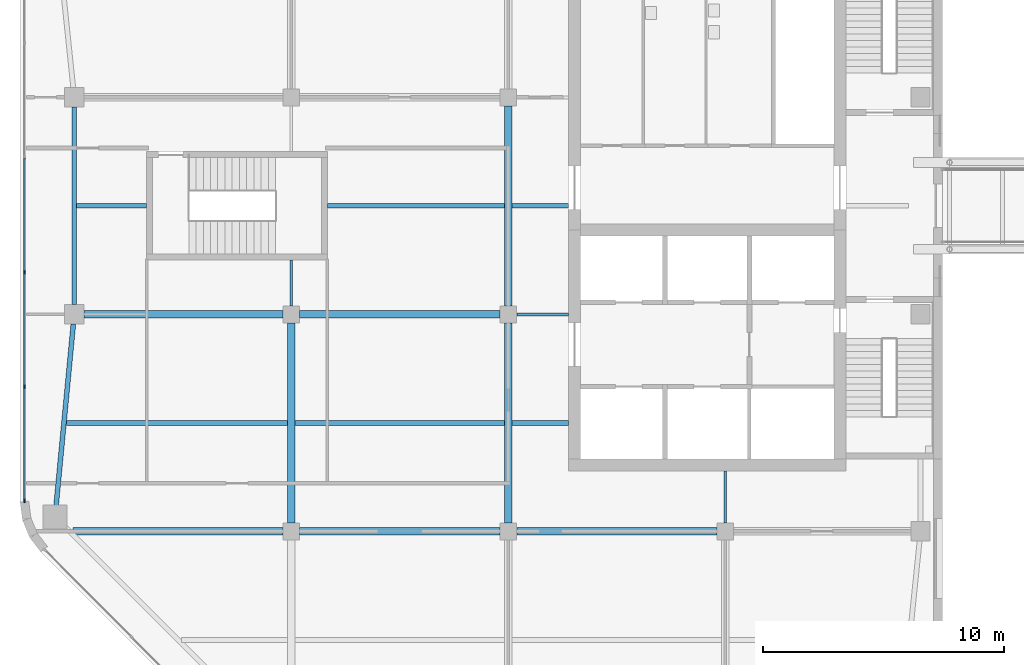
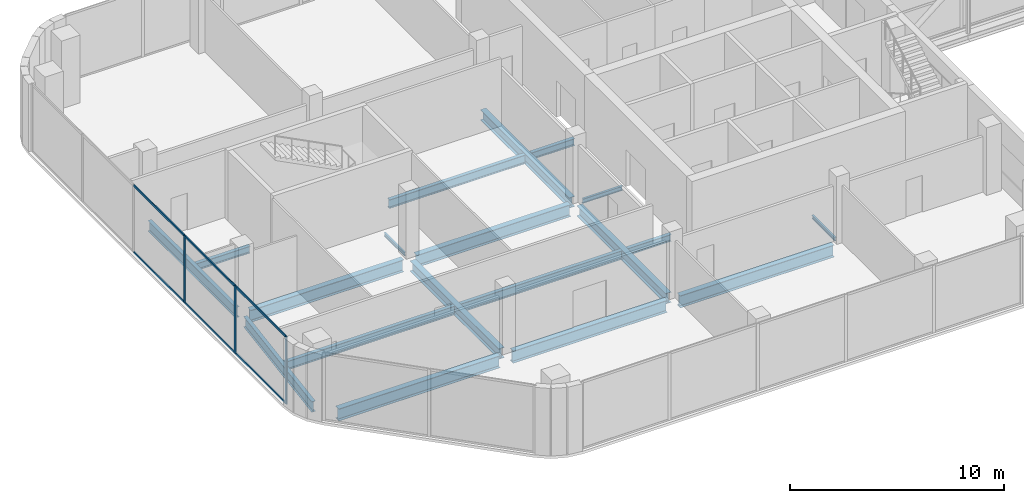
# One storey, part 3 of 24: 19 beams, 9 members, 1 element without a shape of its own.
"""IFC4 building model written with IfcOpenShell, lengths in metres."""

from ifc_helpers import new_model, si_unit, direction, frame, origin, origin_2d, place, context, subcontext, project, spatial, rectangle, i_section, extrude, material, material_profile, profile_set, type_object, element, aggregate, save


model = new_model("IFC4")

# Units and contexts
model_context = context("Model", 3, precision=1e-05, world=origin(), true_north=direction((0.0, 1.0)))
body_context = subcontext(model_context, "Body", "Model", "MODEL_VIEW")
ifc_project = project(units=[si_unit("LENGTHUNIT", "METRE"), si_unit("AREAUNIT", "SQUARE_METRE"), si_unit("VOLUMEUNIT", "CUBIC_METRE"), si_unit("PLANEANGLEUNIT", "RADIAN"), si_unit("MASSUNIT", "GRAM", prefix="KILO")], contexts=[model_context])

# Site, building, storey
site_placement = place(None, origin())
site = spatial("IfcSite", under=ifc_project, at=site_placement, CompositionType="ELEMENT")
building_placement = place(site_placement, origin())
building = spatial("IfcBuilding", under=site, at=building_placement, Name="Cinnabar Reach Civic Tower", CompositionType="ELEMENT")
storey_placement = place(building_placement, frame((0.0, 0.0, 71.0)))
storey = spatial("IfcBuildingStorey", under=building, at=storey_placement, Name="L16", CompositionType="ELEMENT", Elevation=71.0)

# Beams
ifc_material_1 = material(Name="Steel Q355B", Category="steel")
ifc_material_profile_1 = material_profile(ifc_material_1, i_section(OverallWidth=0.302, OverallDepth=0.594, WebThickness=0.014, FlangeThickness=0.023, FilletRadius=0.016, at=origin_2d()), Name="HM594x302x14x23")
ifc_profile_set_1 = profile_set([ifc_material_profile_1], Name="Steel Q355B")
beam_type_1 = type_object("IfcBeamType", Name="HM594x302x14x23 beam R 120", PredefinedType="BEAM", material=ifc_profile_set_1)
for number, where, z_axis, x_axis, name in (
    (1, (-54.0, 18.352, -0.447), (0.0, 1.0, 0.0), (-1.0, 0.0, 0.0), "Girder T2 L16 2"),
    (2, (-45.0, 18.352, -0.447), (0.0, 1.0, 0.0), (-1.0, 0.0, 0.0), "Girder T2 L16 7"),
    (3, (-45.0, 27.352, -0.447), (0.0, 1.0, 0.0), (-1.0, 0.0, 0.0), "Girder T2 L16 8"),
):
    element("IfcBeam", number, at=place(storey_placement, frame(where, z_axis=z_axis, x_axis=x_axis)), inside=storey, type_object=beam_type_1, Name=name, PredefinedType="BEAM", context=body_context, shape_type="SweptSolid", body=[
        extrude(i_section(OverallWidth=0.302, OverallDepth=0.594, WebThickness=0.014, FlangeThickness=0.023, FilletRadius=0.016, at=origin_2d()), origin(), (0.0, 0.0, 1.0), 8.296),
    ])
ifc_material_profile_2 = material_profile(ifc_material_1, i_section(OverallWidth=0.099, OverallDepth=0.198, WebThickness=0.0045, FlangeThickness=0.007, FilletRadius=0.013, at=origin_2d()), Name="HN200x100x5.5x8")
ifc_profile_set_2 = profile_set([ifc_material_profile_2], Name="Steel Q355B")
beam_type_2 = type_object("IfcBeamType", Name="HN200x100x5.5x8 beam R 120", PredefinedType="BEAM", material=ifc_profile_set_2)
beam_1_placement = place(storey_placement, frame((-54.0, 27.352, -0.249), z_axis=(0.0, 1.0, 0.0), x_axis=(-1.0, 0.0, 0.0)))
element("IfcBeam", 4, at=beam_1_placement, inside=storey, type_object=beam_type_2, Name="Girder T2 L16 3", PredefinedType="BEAM", context=body_context, shape_type="SweptSolid", body=[
    extrude(i_section(OverallWidth=0.099, OverallDepth=0.198, WebThickness=0.0045, FlangeThickness=0.007, FilletRadius=0.013, at=origin_2d()), origin(), (0.0, 0.0, 1.0), 1.896),
])
beam_2_placement = place(storey_placement, frame((-36.0, 18.352, -0.249), z_axis=(0.0, 1.0, 0.0), x_axis=(-1.0, 0.0, 0.0)))
element("IfcBeam", 5, at=beam_2_placement, inside=storey, type_object=beam_type_2, Name="Girder T2 L16 11", PredefinedType="BEAM", context=body_context, shape_type="SweptSolid", body=[
    extrude(i_section(OverallWidth=0.099, OverallDepth=0.198, WebThickness=0.0045, FlangeThickness=0.007, FilletRadius=0.013, at=origin_2d()), origin(), (0.0, 0.0, 1.0), 2.146),
])
ifc_material_profile_3 = material_profile(ifc_material_1, i_section(OverallWidth=0.124, OverallDepth=0.248, WebThickness=0.005, FlangeThickness=0.008, FilletRadius=0.013, at=origin_2d()), Name="HN250x125x6x9")
ifc_profile_set_3 = profile_set([ifc_material_profile_3], Name="Steel Q355B")
beam_type_3 = type_object("IfcBeamType", Name="HN250x125x6x9 beam R 120", PredefinedType="BEAM", material=ifc_profile_set_3)
beam_3_placement = place(storey_placement, frame((-44.648, 27.0, -0.274), z_axis=(1.0, 0.0, 0.0), x_axis=(0.0, 1.0, 0.0)))
element("IfcBeam", 6, at=beam_3_placement, inside=storey, type_object=beam_type_3, Name="Girder T2 L16 7", PredefinedType="BEAM", context=body_context, shape_type="SweptSolid", body=[
    extrude(i_section(OverallWidth=0.124, OverallDepth=0.248, WebThickness=0.005, FlangeThickness=0.008, FilletRadius=0.013, at=origin_2d()), origin(), (0.0, 0.0, 1.0), 2.146),
])
ifc_material_profile_4 = material_profile(ifc_material_1, i_section(OverallWidth=0.199, OverallDepth=0.396, WebThickness=0.007, FlangeThickness=0.011, FilletRadius=0.013, at=origin_2d()), Name="HN396x199x7x11")
ifc_profile_set_4 = profile_set([ifc_material_profile_4], Name="Steel Q355B")
beam_type_4 = type_object("IfcBeamType", Name="HN396x199x7x11 beam R 120", PredefinedType="BEAM", material=ifc_profile_set_4)
beam_4_placement = place(storey_placement, frame((-44.847, 22.5, -0.348), z_axis=(1.0, 0.0, 0.0), x_axis=(0.0, 1.0, 0.0)))
element("IfcBeam", 7, at=beam_4_placement, inside=storey, type_object=beam_type_4, Name="Secondary beam T2 L16 7", PredefinedType="BEAM", context=body_context, shape_type="SweptSolid", body=[
    extrude(i_section(OverallWidth=0.199, OverallDepth=0.396, WebThickness=0.007, FlangeThickness=0.011, FilletRadius=0.013, at=origin_2d()), origin(), (0.0, 0.0, 1.0), 2.345),
])
beam_5_placement = place(storey_placement, frame((-62.898, 31.5, -0.348), z_axis=(1.0, 0.0, 0.0), x_axis=(0.0, 1.0, 0.0)))
element("IfcBeam", 8, at=beam_5_placement, inside=storey, type_object=beam_type_4, Name="Secondary beam T2 L16 8", PredefinedType="BEAM", context=body_context, shape_type="SweptSolid", body=[
    extrude(i_section(OverallWidth=0.199, OverallDepth=0.396, WebThickness=0.007, FlangeThickness=0.011, FilletRadius=0.013, at=origin_2d()), origin(), (0.0, 0.0, 1.0), 2.896),
])
beam_6_placement = place(storey_placement, frame((-44.847, 31.5, -0.348), z_axis=(1.0, 0.0, 0.0), x_axis=(0.0, 1.0, 0.0)))
element("IfcBeam", 9, at=beam_6_placement, inside=storey, type_object=beam_type_4, Name="Secondary beam T2 L16 10", PredefinedType="BEAM", context=body_context, shape_type="SweptSolid", body=[
    extrude(i_section(OverallWidth=0.199, OverallDepth=0.396, WebThickness=0.007, FlangeThickness=0.011, FilletRadius=0.013, at=origin_2d()), origin(), (0.0, 0.0, 1.0), 2.345),
])
ifc_material_profile_5 = material_profile(ifc_material_1, i_section(OverallWidth=0.199, OverallDepth=0.496, WebThickness=0.009, FlangeThickness=0.014, FilletRadius=0.016, at=origin_2d()), Name="HN496x199x9x14")
ifc_profile_set_5 = profile_set([ifc_material_profile_5], Name="Steel Q355B")
beam_type_5 = type_object("IfcBeamType", Name="HN496x199x9x14 beam R 120", PredefinedType="BEAM", material=ifc_profile_set_5)
beam_7_placement = place(storey_placement, frame((-63.3245, 22.5, -0.398), z_axis=(1.0, 0.0, 0.0), x_axis=(0.0, 1.0, 0.0)))
element("IfcBeam", 10, at=beam_7_placement, inside=storey, type_object=beam_type_5, Name="Secondary beam T2 L16 5", PredefinedType="BEAM", context=body_context, shape_type="SweptSolid", body=[
    extrude(i_section(OverallWidth=0.199, OverallDepth=0.496, WebThickness=0.009, FlangeThickness=0.014, FilletRadius=0.016, at=origin_2d()), origin(), (0.0, 0.0, 1.0), 9.1715),
])
beam_8_placement = place(storey_placement, frame((-53.847, 22.5, -0.398), z_axis=(1.0, 0.0, 0.0), x_axis=(0.0, 1.0, 0.0)))
element("IfcBeam", 11, at=beam_8_placement, inside=storey, type_object=beam_type_5, Name="Secondary beam T2 L16 6", PredefinedType="BEAM", context=body_context, shape_type="SweptSolid", body=[
    extrude(i_section(OverallWidth=0.199, OverallDepth=0.496, WebThickness=0.009, FlangeThickness=0.014, FilletRadius=0.016, at=origin_2d()), origin(), (0.0, 0.0, 1.0), 8.694),
])
beam_9_placement = place(storey_placement, frame((-52.498, 31.5, -0.398), z_axis=(1.0, 0.0, 0.0), x_axis=(0.0, 1.0, 0.0)))
element("IfcBeam", 12, at=beam_9_placement, inside=storey, type_object=beam_type_5, Name="Secondary beam T2 L16 9", PredefinedType="BEAM", context=body_context, shape_type="SweptSolid", body=[
    extrude(i_section(OverallWidth=0.199, OverallDepth=0.496, WebThickness=0.009, FlangeThickness=0.014, FilletRadius=0.016, at=origin_2d()), origin(), (0.0, 0.0, 1.0), 7.345),
])
ifc_material_profile_6 = material_profile(ifc_material_1, i_section(OverallWidth=0.2, OverallDepth=0.6, WebThickness=0.011, FlangeThickness=0.017, FilletRadius=0.016, at=origin_2d()), Name="HN600x200x11x17")
ifc_profile_set_6 = profile_set([ifc_material_profile_6], Name="Steel Q355B")
beam_type_6 = type_object("IfcBeamType", Name="HN600x200x11x17 beam R 120", PredefinedType="BEAM", material=ifc_profile_set_6)
beam_10_placement = place(storey_placement, frame((-63.0, 35.598, -0.45), z_axis=(0.0, -1.0, 0.0), x_axis=(1.0, 0.0, 0.0)))
element("IfcBeam", 13, at=beam_10_placement, inside=storey, type_object=beam_type_6, Name="Edge beam T2 L16 15", PredefinedType="BEAM", context=body_context, shape_type="SweptSolid", body=[
    extrude(i_section(OverallWidth=0.2, OverallDepth=0.6, WebThickness=0.011, FlangeThickness=0.017, FilletRadius=0.016, at=origin_2d()), origin(), (0.0, 0.0, 1.0), 8.196),
])
beam_11_placement = place(storey_placement, frame((-63.0381, 26.598, -0.45), z_axis=(-0.094478368886, -0.99552691466, 0.0), x_axis=(0.99552691466, -0.094478368886, 0.0)))
element("IfcBeam", 14, at=beam_11_placement, inside=storey, type_object=beam_type_6, Name="Edge beam T2 L16 16", PredefinedType="BEAM", context=body_context, shape_type="SweptSolid", body=[
    extrude(i_section(OverallWidth=0.2, OverallDepth=0.6, WebThickness=0.011, FlangeThickness=0.017, FilletRadius=0.016, at=origin_2d()), origin(), (0.0, 0.0, 1.0), 7.6483),
])
ifc_material_profile_7 = material_profile(ifc_material_1, i_section(OverallWidth=0.3, OverallDepth=0.692, WebThickness=0.013, FlangeThickness=0.02, FilletRadius=0.016, at=origin_2d()), Name="HN692x300x13x20")
ifc_profile_set_7 = profile_set([ifc_material_profile_7], Name="Steel Q355B")
beam_type_7 = type_object("IfcBeamType", Name="HN692x300x13x20 beam R 120", PredefinedType="BEAM", material=ifc_profile_set_7)
beam_12_placement = place(storey_placement, frame((-63.0508, 18.0, -0.496), z_axis=(1.0, 0.0, 0.0), x_axis=(0.0, 1.0, 0.0)))
element("IfcBeam", 15, at=beam_12_placement, inside=storey, type_object=beam_type_7, Name="Girder T2 L16 1", PredefinedType="BEAM", context=body_context, shape_type="SweptSolid", body=[
    extrude(i_section(OverallWidth=0.3, OverallDepth=0.692, WebThickness=0.013, FlangeThickness=0.02, FilletRadius=0.016, at=origin_2d()), origin(), (0.0, 0.0, 1.0), 8.6988),
])
for number, where, z_axis, x_axis, name in (
    (16, (-53.648, 18.0, -0.496), (1.0, 0.0, 0.0), (0.0, 1.0, 0.0), "Girder T2 L16 2"),
    (17, (-44.648, 18.0, -0.496), (1.0, 0.0, 0.0), (0.0, 1.0, 0.0), "Girder T2 L16 3"),
):
    element("IfcBeam", number, at=place(storey_placement, frame(where, z_axis=z_axis, x_axis=x_axis)), inside=storey, type_object=beam_type_7, Name=name, PredefinedType="BEAM", context=body_context, shape_type="SweptSolid", body=[
        extrude(i_section(OverallWidth=0.3, OverallDepth=0.692, WebThickness=0.013, FlangeThickness=0.02, FilletRadius=0.016, at=origin_2d()), origin(), (0.0, 0.0, 1.0), 8.296),
    ])
beam_13_placement = place(storey_placement, frame((-62.598, 27.0, -0.496), z_axis=(1.0, 0.0, 0.0), x_axis=(0.0, 1.0, 0.0)))
element("IfcBeam", 18, at=beam_13_placement, inside=storey, type_object=beam_type_7, Name="Girder T2 L16 5", PredefinedType="BEAM", context=body_context, shape_type="SweptSolid", body=[
    extrude(i_section(OverallWidth=0.3, OverallDepth=0.692, WebThickness=0.013, FlangeThickness=0.02, FilletRadius=0.016, at=origin_2d()), origin(), (0.0, 0.0, 1.0), 8.246),
])
beam_14_placement = place(storey_placement, frame((-53.648, 27.0, -0.496), z_axis=(1.0, 0.0, 0.0), x_axis=(0.0, 1.0, 0.0)))
element("IfcBeam", 19, at=beam_14_placement, inside=storey, type_object=beam_type_7, Name="Girder T2 L16 6", PredefinedType="BEAM", context=body_context, shape_type="SweptSolid", body=[
    extrude(i_section(OverallWidth=0.3, OverallDepth=0.692, WebThickness=0.013, FlangeThickness=0.02, FilletRadius=0.016, at=origin_2d()), origin(), (0.0, 0.0, 1.0), 8.296),
])

# Curtain wall, members
ifc_material_2 = material(Name="Aluminium and clear double glazing", Category="aluminium")
curtain_wall_type = type_object("IfcCurtainWallType", Name="Tower 2 sky lobby and amenity curtain wall", PredefinedType="NOTDEFINED", material=ifc_material_2)
curtain_wall_placement = place(storey_placement, origin())
curtain_wall = element("IfcCurtainWall", 20, at=curtain_wall_placement, inside=storey, type_object=curtain_wall_type, Name="Tower 2 sky lobby and amenity 3", PredefinedType="NOTDEFINED")
ifc_material_3 = material(Name="Aluminium", Category="aluminium")
ifc_material_profile_8 = material_profile(ifc_material_3, rectangle(XDim=0.06, YDim=0.16, at=origin_2d()), Name="Tower 2 sky lobby and amenity mullion")
ifc_profile_set_8 = profile_set([ifc_material_profile_8], Name="Aluminium")
member_type_1 = type_object("IfcMemberType", Name="Tower 2 sky lobby and amenity mullion", PredefinedType="MULLION", material=ifc_profile_set_8)
member_1_placement = place(storey_placement, frame((-65.07, 28.7485, 0.0), z_axis=(0.0, 0.0, 1.0), x_axis=(1.0, 0.0, 0.0)))
member_1 = element("IfcMember", 21, at=member_1_placement, type_object=member_type_1, Name="CW-T2SKY-3 mullion 4", PredefinedType="MULLION", context=body_context, shape_type="SweptSolid", body=[
    extrude(rectangle(XDim=0.06, YDim=0.16, at=origin_2d()), origin(), (0.0, 0.0, 1.0), 3.85),
])
member_2_placement = place(storey_placement, frame((-65.07, 23.9956, 0.0), z_axis=(0.0, 0.0, 1.0), x_axis=(1.0, 0.0, 0.0)))
member_2 = element("IfcMember", 22, at=member_2_placement, type_object=member_type_1, Name="CW-T2SKY-3 mullion 5", PredefinedType="MULLION", context=body_context, shape_type="SweptSolid", body=[
    extrude(rectangle(XDim=0.06, YDim=0.16, at=origin_2d()), origin(), (0.0, 0.0, 1.0), 3.85),
])
member_3_placement = place(storey_placement, frame((-65.07, 19.2726, 0.0), z_axis=(0.0, 0.0, 1.0), x_axis=(1.0, 0.0, 0.0)))
member_3 = element("IfcMember", 23, at=member_3_placement, type_object=member_type_1, Name="CW-T2SKY-3 mullion 6", PredefinedType="MULLION", context=body_context, shape_type="SweptSolid", body=[
    extrude(rectangle(XDim=0.06, YDim=0.16, at=origin_2d()), origin(), (0.0, 0.0, 1.0), 3.85),
])
ifc_material_profile_9 = material_profile(ifc_material_3, rectangle(XDim=0.06, YDim=0.12, at=origin_2d()), Name="Tower 2 sky lobby and amenity transom")
ifc_profile_set_9 = profile_set([ifc_material_profile_9], Name="Aluminium")
member_type_2 = type_object("IfcMemberType", Name="Tower 2 sky lobby and amenity transom", PredefinedType="USERDEFINED", material=ifc_profile_set_9)
member_4_placement = place(storey_placement, frame((-65.07, 33.4715, 0.03), z_axis=(0.0, -1.0, 0.0), x_axis=(1.0, 0.0, 0.0)))
member_4 = element("IfcMember", 24, at=member_4_placement, type_object=member_type_2, Name="CW-T2SKY-3 transom 3.1", ObjectType="TRANSOM", PredefinedType="USERDEFINED", context=body_context, shape_type="SweptSolid", body=[
    extrude(rectangle(XDim=0.06, YDim=0.12, at=origin_2d()), origin(), (0.0, 0.0, 1.0), 4.693),
])
member_5_placement = place(storey_placement, frame((-65.07, 33.4715, 3.82), z_axis=(0.0, -1.0, 0.0), x_axis=(1.0, 0.0, 0.0)))
member_5 = element("IfcMember", 25, at=member_5_placement, type_object=member_type_2, Name="CW-T2SKY-3 transom 3.2", ObjectType="TRANSOM", PredefinedType="USERDEFINED", context=body_context, shape_type="SweptSolid", body=[
    extrude(rectangle(XDim=0.06, YDim=0.12, at=origin_2d()), origin(), (0.0, 0.0, 1.0), 4.693),
])
member_6_placement = place(storey_placement, frame((-65.07, 28.7185, 0.03), z_axis=(0.0, -1.0, 0.0), x_axis=(1.0, 0.0, 0.0)))
member_6 = element("IfcMember", 26, at=member_6_placement, type_object=member_type_2, Name="CW-T2SKY-3 transom 4.1", ObjectType="TRANSOM", PredefinedType="USERDEFINED", context=body_context, shape_type="SweptSolid", body=[
    extrude(rectangle(XDim=0.06, YDim=0.12, at=origin_2d()), origin(), (0.0, 0.0, 1.0), 4.6929),
])
member_7_placement = place(storey_placement, frame((-65.07, 28.7185, 3.82), z_axis=(0.0, -1.0, 0.0), x_axis=(1.0, 0.0, 0.0)))
member_7 = element("IfcMember", 27, at=member_7_placement, type_object=member_type_2, Name="CW-T2SKY-3 transom 4.2", ObjectType="TRANSOM", PredefinedType="USERDEFINED", context=body_context, shape_type="SweptSolid", body=[
    extrude(rectangle(XDim=0.06, YDim=0.12, at=origin_2d()), origin(), (0.0, 0.0, 1.0), 4.6929),
])
member_8_placement = place(storey_placement, frame((-65.07, 23.9656, 0.03), z_axis=(0.0, -1.0, 0.0), x_axis=(1.0, 0.0, 0.0)))
member_8 = element("IfcMember", 28, at=member_8_placement, type_object=member_type_2, Name="CW-T2SKY-3 transom 5.1", ObjectType="TRANSOM", PredefinedType="USERDEFINED", context=body_context, shape_type="SweptSolid", body=[
    extrude(rectangle(XDim=0.06, YDim=0.12, at=origin_2d()), origin(), (0.0, 0.0, 1.0), 4.663),
])
member_9_placement = place(storey_placement, frame((-65.07, 23.9656, 3.82), z_axis=(0.0, -1.0, 0.0), x_axis=(1.0, 0.0, 0.0)))
member_9 = element("IfcMember", 29, at=member_9_placement, type_object=member_type_2, Name="CW-T2SKY-3 transom 5.2", ObjectType="TRANSOM", PredefinedType="USERDEFINED", context=body_context, shape_type="SweptSolid", body=[
    extrude(rectangle(XDim=0.06, YDim=0.12, at=origin_2d()), origin(), (0.0, 0.0, 1.0), 4.663),
])
aggregate(curtain_wall, [member_1, member_2, member_3, member_4, member_5, member_6, member_7, member_8, member_9])

save(model, "model.ifc")
